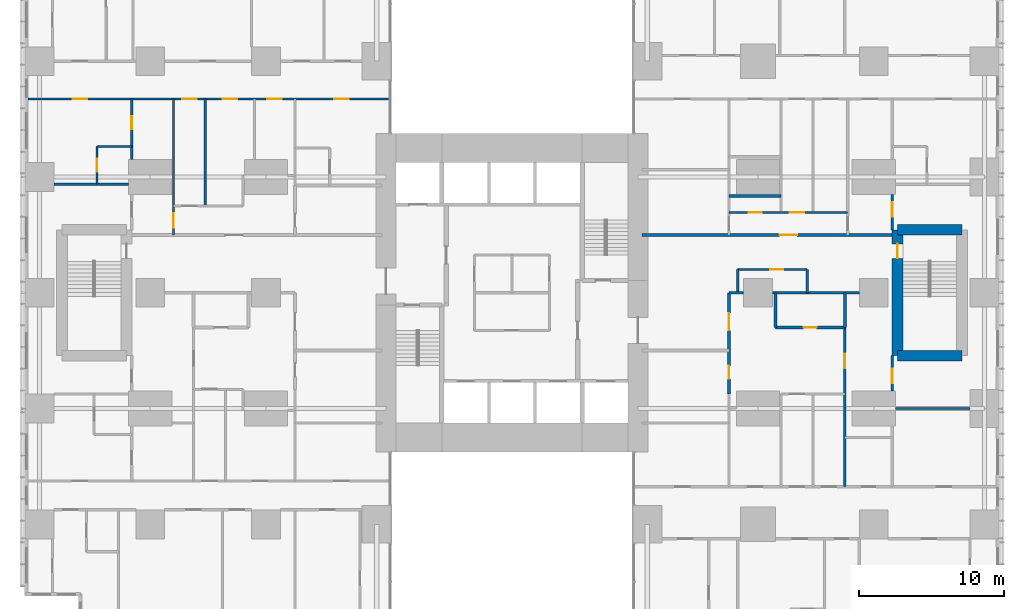
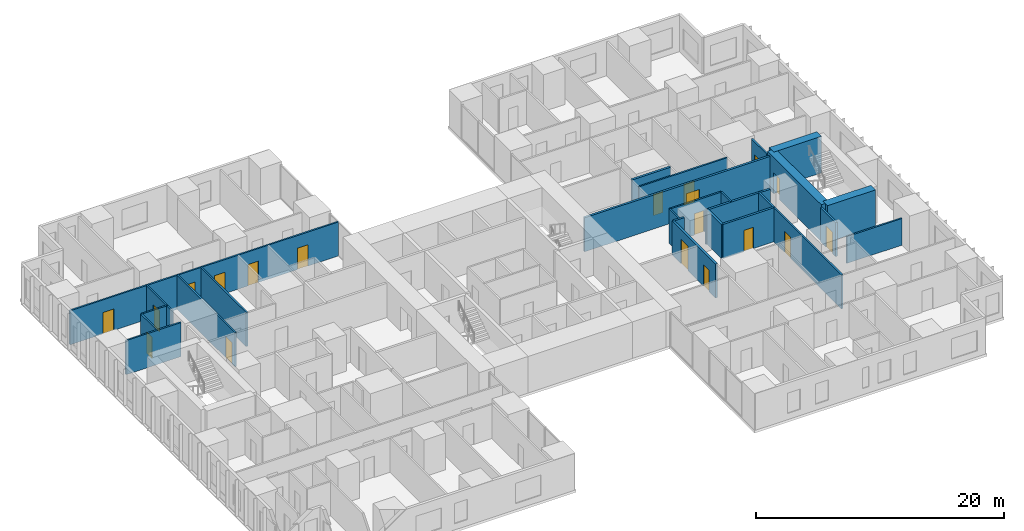
# One storey, part 16 of 20: 26 walls, 19 doors, 19 openings.
"""IFC4 building model written with IfcOpenShell, lengths in metres."""

from ifc_helpers import new_model, si_unit, direction, frame, frame_2d, origin, place, context, subcontext, project, spatial, rectangle, extrude, material, layer, layer_set, type_object, element, fill, save


model = new_model("IFC4")

# Units and contexts
model_context = context("Model", 3, precision=1e-05, world=origin(), true_north=direction((0.0, 1.0)))
body_context = subcontext(model_context, "Body", "Model", "MODEL_VIEW")
ifc_project = project(units=[si_unit("LENGTHUNIT", "METRE"), si_unit("AREAUNIT", "SQUARE_METRE"), si_unit("VOLUMEUNIT", "CUBIC_METRE"), si_unit("PLANEANGLEUNIT", "RADIAN"), si_unit("MASSUNIT", "GRAM", prefix="KILO")], contexts=[model_context])

# Site, building, storey
site_placement = place(None, origin())
site = spatial("IfcSite", under=ifc_project, at=site_placement, CompositionType="ELEMENT")
building_placement = place(site_placement, origin())
building = spatial("IfcBuilding", under=site, at=building_placement, Name="Cleftline Residences", CompositionType="ELEMENT")
storey_placement = place(building_placement, frame((0.0, 0.0, 76.39990234375)))
storey = spatial("IfcBuildingStorey", under=building, at=storey_placement, Name="L19", CompositionType="ELEMENT", Elevation=76.39990234375)

# Wall, opening, door
ifc_material_1 = material(Name="Concrete blockwork, fire rated", Category="masonry")
ifc_layer_1 = layer(ifc_material_1, 0.199951171875)
ifc_layer_set_1 = layer_set([ifc_layer_1], Name="FIRE WALL 200")
wall_type_1 = type_object("IfcWallType", Name="FIRE WALL 200", PredefinedType="PARTITIONING", material=ifc_layer_set_1)
wall_1_placement = place(storey_placement, frame((51.199951171875, 21.60009765625, 0.0), z_axis=(0.0, 0.0, 1.0), x_axis=(1.0, 0.0, 0.0)))
wall_1 = element("IfcWall", 1, at=wall_1_placement, inside=storey, type_object=wall_type_1, Name="Fire separating wall", PredefinedType="PARTITIONING", context=body_context, shape_type="SweptSolid", body=[
    extrude(rectangle(XDim=4.800048828125, YDim=0.199951171875, at=frame_2d((2.39990234375, 0.0))), origin(), (0.0, 0.0, 1.0), 3.35009765625),
])
opening_1_placement = place(wall_1_placement, frame((1.949951171875, 0.0, 0.0)))
opening_1 = element("IfcOpeningElement", 2, at=opening_1_placement, cuts=wall_1, Name="Opening D1F30", PredefinedType="OPENING", context=body_context, shape_type="SweptSolid", body=[
    extrude(rectangle(XDim=0.89990234375, YDim=2.10009765625, at=frame_2d((0.449951171875, 1.050048828125))), frame((0.0, 0.10986328125, 0.0), z_axis=(0.0, -1.0, 0.0), x_axis=(1.0, 0.0, 0.0)), (0.0, 0.0, 1.0), 0.219970703125),
])
ifc_material_2 = material(Name="Timber veneer on solid core", Category="wood")
door_type_1 = type_object("IfcDoorType", Name="DOOR 900X2100 EI 30", OperationType="SINGLE_SWING_LEFT", PredefinedType="DOOR", material=ifc_material_2)
door_1_placement = place(opening_1_placement, origin())
door_1 = element("IfcDoor", 3, at=door_1_placement, inside=storey, type_object=door_type_1, Name="Door to cloakroom wc", OperationType="SINGLE_SWING_LEFT", OverallHeight=2.10009765625, OverallWidth=0.89990234375, PredefinedType="DOOR", context=body_context, shape_type="SweptSolid", body=[
    extrude(rectangle(XDim=0.89990234375, YDim=2.10009765625, at=frame_2d((0.449951171875, 1.050048828125))), frame((0.0, 0.02490234375, 0.0), z_axis=(0.0, -1.0, 0.0), x_axis=(1.0, 0.0, 0.0)), (0.0, 0.0, 1.0), 0.050048828125),
])
fill(opening_1, door_1)

# Walls
wall_2_placement = place(storey_placement, frame((48.0, 24.0, 0.0), z_axis=(0.0, 0.0, 1.0), x_axis=(1.0, 0.0, 0.0)))
element("IfcWall", 4, at=wall_2_placement, inside=storey, type_object=wall_type_1, Name="Fire separating wall", PredefinedType="PARTITIONING", context=body_context, shape_type="SweptSolid", body=[
    extrude(rectangle(XDim=1.0, YDim=0.199951171875, at=frame_2d((0.5, 0.0))), origin(), (0.0, 0.0, 1.0), 3.35009765625),
])
wall_3_placement = place(storey_placement, frame((51.0, 24.0, 0.0), z_axis=(0.0, 0.0, 1.0), x_axis=(1.0, 0.0, 0.0)))
element("IfcWall", 5, at=wall_3_placement, inside=storey, type_object=wall_type_1, Name="Fire separating wall", PredefinedType="PARTITIONING", context=body_context, shape_type="SweptSolid", body=[
    extrude(rectangle(XDim=6.0, YDim=0.199951171875, at=frame_2d((3.0, 0.0))), origin(), (0.0, 0.0, 1.0), 3.35009765625),
])

# Wall, opening, door
wall_4_placement = place(storey_placement, frame((42.0, 28.0, 0.0), z_axis=(0.0, 0.0, 1.0), x_axis=(1.0, 0.0, 0.0)))
wall_4 = element("IfcWall", 6, at=wall_4_placement, inside=storey, type_object=wall_type_1, Name="Fire separating wall", PredefinedType="PARTITIONING", context=body_context, shape_type="SweptSolid", body=[
    extrude(rectangle(XDim=17.27490234375, YDim=0.199951171875, at=frame_2d((8.637451171875, 0.0))), origin(), (0.0, 0.0, 1.0), 3.35009765625),
])
opening_2_placement = place(wall_4_placement, frame((9.5, 0.0, 0.0)))
opening_2 = element("IfcOpeningElement", 7, at=opening_2_placement, cuts=wall_4, Name="Opening D4", PredefinedType="OPENING", context=body_context, shape_type="SweptSolid", body=[
    extrude(rectangle(XDim=1.199951171875, YDim=2.39990234375, at=frame_2d((0.60009765625, 1.199951171875))), frame((0.0, 0.10986328125, 0.0), z_axis=(0.0, -1.0, 0.0), x_axis=(1.0, 0.0, 0.0)), (0.0, 0.0, 1.0), 0.219970703125),
])
ifc_material_3 = material(Name="Timber veneer on solid core", Category="wood")
door_type_2 = type_object("IfcDoorType", Name="APARTMENT ENTRANCE DOOR 1200X2400", OperationType="SINGLE_SWING_RIGHT", PredefinedType="DOOR", material=ifc_material_3)
door_2_placement = place(opening_2_placement, origin())
door_2 = element("IfcDoor", 8, at=door_2_placement, inside=storey, type_object=door_type_2, Name="Door to residence entrance foyer", OperationType="SINGLE_SWING_LEFT", OverallHeight=2.39990234375, OverallWidth=1.199951171875, PredefinedType="DOOR", context=body_context, shape_type="SweptSolid", body=[
    extrude(rectangle(XDim=1.199951171875, YDim=2.39990234375, at=frame_2d((0.60009765625, 1.199951171875))), frame((0.0, 0.02490234375, 0.0), z_axis=(0.0, -1.0, 0.0), x_axis=(1.0, 0.0, 0.0)), (0.0, 0.0, 1.0), 0.050048828125),
])
fill(opening_2, door_2)

# Wall
wall_5_placement = place(storey_placement, frame((48.0, 30.699951171875, 0.0), z_axis=(0.0, 0.0, 1.0), x_axis=(1.0, 0.0, 0.0)))
element("IfcWall", 9, at=wall_5_placement, inside=storey, type_object=wall_type_1, Name="Fire separating wall", PredefinedType="PARTITIONING", context=body_context, shape_type="SweptSolid", body=[
    extrude(rectangle(XDim=3.60009765625, YDim=0.199951171875, at=frame_2d((1.800048828125, 0.0))), origin(), (0.0, 0.0, 1.0), 3.35009765625),
])

# Wall, openings, doors
wall_6_placement = place(storey_placement, frame((48.0, 17.0, 0.0), z_axis=(0.0, 0.0, 1.0), x_axis=(0.0, 1.0, 0.0)))
wall_6 = element("IfcWall", 10, at=wall_6_placement, inside=storey, type_object=wall_type_1, Name="Fire separating wall", PredefinedType="PARTITIONING", context=body_context, shape_type="SweptSolid", body=[
    extrude(rectangle(XDim=7.0, YDim=0.199951171875, at=frame_2d((3.5, 0.0))), origin(), (0.0, 0.0, 1.0), 3.35009765625),
])
opening_3_placement = place(wall_6_placement, frame((4.39990234375, 0.0, 0.0)))
opening_3 = element("IfcOpeningElement", 11, at=opening_3_placement, cuts=wall_6, Name="Opening D4", PredefinedType="OPENING", context=body_context, shape_type="SweptSolid", body=[
    extrude(rectangle(XDim=1.199951171875, YDim=2.39990234375, at=frame_2d((0.60009765625, 1.199951171875))), frame((0.0, 0.10986328125, 0.0), z_axis=(0.0, -1.0, 0.0), x_axis=(1.0, 0.0, 0.0)), (0.0, 0.0, 1.0), 0.219970703125),
])
opening_4_placement = place(wall_6_placement, frame((1.050048828125, 0.0, 0.0)))
opening_4 = element("IfcOpeningElement", 12, at=opening_4_placement, cuts=wall_6, Name="Opening D1F30", PredefinedType="OPENING", context=body_context, shape_type="SweptSolid", body=[
    extrude(rectangle(XDim=0.89990234375, YDim=2.10009765625, at=frame_2d((0.449951171875, 1.050048828125))), frame((0.0, 0.10986328125, 0.0), z_axis=(0.0, -1.0, 0.0), x_axis=(1.0, 0.0, 0.0)), (0.0, 0.0, 1.0), 0.219970703125),
])
door_3_placement = place(opening_3_placement, origin())
door_3 = element("IfcDoor", 13, at=door_3_placement, inside=storey, type_object=door_type_2, Name="Door to residence entrance foyer", OperationType="SINGLE_SWING_LEFT", OverallHeight=2.39990234375, OverallWidth=1.199951171875, PredefinedType="DOOR", context=body_context, shape_type="SweptSolid", body=[
    extrude(rectangle(XDim=1.199951171875, YDim=2.39990234375, at=frame_2d((0.60009765625, 1.199951171875))), frame((0.0, 0.02490234375, 0.0), z_axis=(0.0, -1.0, 0.0), x_axis=(1.0, 0.0, 0.0)), (0.0, 0.0, 1.0), 0.050048828125),
])
fill(opening_3, door_3)
door_4_placement = place(opening_4_placement, origin())
door_4 = element("IfcDoor", 14, at=door_4_placement, inside=storey, type_object=door_type_1, Name="Door to laundry", OperationType="SINGLE_SWING_RIGHT", OverallHeight=2.10009765625, OverallWidth=0.89990234375, PredefinedType="DOOR", context=body_context, shape_type="SweptSolid", body=[
    extrude(rectangle(XDim=0.89990234375, YDim=2.10009765625, at=frame_2d((0.449951171875, 1.050048828125))), frame((0.0, 0.02490234375, 0.0), z_axis=(0.0, -1.0, 0.0), x_axis=(1.0, 0.0, 0.0)), (0.0, 0.0, 1.0), 0.050048828125),
])
fill(opening_4, door_4)

# Walls
for number, where, z_axis, x_axis, name in (
    (15, (51.199951171875, 21.60009765625, 0.0), (0.0, 0.0, 1.0), (0.0, 1.0, 0.0), "Fire separating wall"),
    (16, (56.0, 21.60009765625, 0.0), (0.0, 0.0, 1.0), (0.0, 1.0, 0.0), "Fire separating wall"),
):
    element("IfcWall", number, at=place(storey_placement, frame(where, z_axis=z_axis, x_axis=x_axis)), inside=storey, type_object=wall_type_1, Name=name, PredefinedType="PARTITIONING", context=body_context, shape_type="SweptSolid", body=[
        extrude(rectangle(XDim=2.39990234375, YDim=0.199951171875, at=frame_2d((1.199951171875, 0.0))), origin(), (0.0, 0.0, 1.0), 3.35009765625),
    ])
ifc_material_4 = material(Name="Gypsum board on steel studs", Category="steel")
ifc_layer_2 = layer(ifc_material_4, 0.14990234375)
ifc_layer_set_2 = layer_set([ifc_layer_2], Name="PARTITION 150")
wall_type_2 = type_object("IfcWallType", Name="PARTITION 150", PredefinedType="PARTITIONING", material=ifc_layer_set_2)
wall_7_placement = place(storey_placement, frame((59.5, 16.0, 0.0), z_axis=(0.0, 0.0, 1.0), x_axis=(1.0, 0.0, 0.0)))
element("IfcWall", 17, at=wall_7_placement, inside=storey, type_object=wall_type_2, Name="Partition", PredefinedType="PARTITIONING", context=body_context, shape_type="SweptSolid", body=[
    extrude(rectangle(XDim=5.14990234375, YDim=0.14990234375, at=frame_2d((2.574951171875, 0.0))), origin(), (0.0, 0.0, 1.0), 2.634033203125),
])

# Wall, opening, door
wall_8_placement = place(storey_placement, frame((48.60009765625, 25.60009765625, 0.0), z_axis=(0.0, 0.0, 1.0), x_axis=(1.0, 0.0, 0.0)))
wall_8 = element("IfcWall", 18, at=wall_8_placement, inside=storey, type_object=wall_type_2, Name="Partition", PredefinedType="PARTITIONING", context=body_context, shape_type="SweptSolid", body=[
    extrude(rectangle(XDim=4.7998046875, YDim=0.14990234375, at=frame_2d((2.39990234375, 0.0))), origin(), (0.0, 0.0, 1.0), 3.35009765625),
])
opening_5_placement = place(wall_8_placement, frame((2.25, 0.0, 0.0)))
opening_5 = element("IfcOpeningElement", 19, at=opening_5_placement, cuts=wall_8, Name="Opening D1", PredefinedType="OPENING", context=body_context, shape_type="SweptSolid", body=[
    extrude(rectangle(XDim=0.89990234375, YDim=2.10009765625, at=frame_2d((0.449951171875, 1.050048828125))), frame((0.0, 0.0849609375, 0.0), z_axis=(0.0, -1.0, 0.0), x_axis=(1.0, 0.0, 0.0)), (0.0, 0.0, 1.0), 0.169921875),
])
ifc_material_5 = material(Name="Timber veneer on solid core", Category="wood")
door_type_3 = type_object("IfcDoorType", Name="DOOR 900X2100", OperationType="SINGLE_SWING_LEFT", PredefinedType="DOOR", material=ifc_material_5)
door_5_placement = place(opening_5_placement, origin())
door_5 = element("IfcDoor", 20, at=door_5_placement, inside=storey, type_object=door_type_3, Name="Door to bulky waste room", OperationType="SINGLE_SWING_LEFT", OverallHeight=2.10009765625, OverallWidth=0.89990234375, PredefinedType="DOOR", context=body_context, shape_type="SweptSolid", body=[
    extrude(rectangle(XDim=0.89990234375, YDim=2.10009765625, at=frame_2d((0.449951171875, 1.050048828125))), frame((0.0, 0.02490234375, 0.0), z_axis=(0.0, -1.0, 0.0), x_axis=(1.0, 0.0, 0.0)), (0.0, 0.0, 1.0), 0.050048828125),
])
fill(opening_5, door_5)

# Wall, openings, doors
wall_9_placement = place(storey_placement, frame((48.0, 29.550048828125, 0.0), z_axis=(0.0, 0.0, 1.0), x_axis=(1.0, 0.0, 0.0)))
wall_9 = element("IfcWall", 21, at=wall_9_placement, inside=storey, type_object=wall_type_2, Name="Partition", PredefinedType="PARTITIONING", context=body_context, shape_type="SweptSolid", body=[
    extrude(rectangle(XDim=8.199951171875, YDim=0.14990234375, at=frame_2d((4.10009765625, 0.0))), origin(), (0.0, 0.0, 1.0), 3.35009765625),
])
opening_6_placement = place(wall_9_placement, frame((4.199951171875, 0.0, 0.0)))
opening_6 = element("IfcOpeningElement", 22, at=opening_6_placement, cuts=wall_9, Name="Opening D2", PredefinedType="OPENING", context=body_context, shape_type="SweptSolid", body=[
    extrude(rectangle(XDim=1.0, YDim=2.10009765625, at=frame_2d((0.5, 1.050048828125))), frame((0.0, 0.0849609375, 0.0), z_axis=(0.0, -1.0, 0.0), x_axis=(1.0, 0.0, 0.0)), (0.0, 0.0, 1.0), 0.169921875),
])
opening_7_placement = place(wall_9_placement, frame((1.35009765625, 0.0, 0.0)))
opening_7 = element("IfcOpeningElement", 23, at=opening_7_placement, cuts=wall_9, Name="Opening D1", PredefinedType="OPENING", context=body_context, shape_type="SweptSolid", body=[
    extrude(rectangle(XDim=0.89990234375, YDim=2.10009765625, at=frame_2d((0.449951171875, 1.050048828125))), frame((0.0, 0.0849609375, 0.0), z_axis=(0.0, -1.0, 0.0), x_axis=(1.0, 0.0, 0.0)), (0.0, 0.0, 1.0), 0.169921875),
])
ifc_material_6 = material(Name="Timber veneer on solid core", Category="wood")
door_type_4 = type_object("IfcDoorType", Name="DOOR 1000X2100", OperationType="SINGLE_SWING_LEFT", PredefinedType="DOOR", material=ifc_material_6)
door_6_placement = place(opening_6_placement, origin())
door_6 = element("IfcDoor", 24, at=door_6_placement, inside=storey, type_object=door_type_4, Name="Door to residence passage", OperationType="SINGLE_SWING_LEFT", OverallHeight=2.10009765625, OverallWidth=1.0, PredefinedType="DOOR", context=body_context, shape_type="SweptSolid", body=[
    extrude(rectangle(XDim=1.0, YDim=2.10009765625, at=frame_2d((0.5, 1.050048828125))), frame((0.0, 0.02490234375, 0.0), z_axis=(0.0, -1.0, 0.0), x_axis=(1.0, 0.0, 0.0)), (0.0, 0.0, 1.0), 0.050048828125),
])
fill(opening_6, door_6)
door_7_placement = place(opening_7_placement, origin())
door_7 = element("IfcDoor", 25, at=door_7_placement, inside=storey, type_object=door_type_3, Name="Door to linen store", OperationType="SINGLE_SWING_RIGHT", OverallHeight=2.10009765625, OverallWidth=0.89990234375, PredefinedType="DOOR", context=body_context, shape_type="SweptSolid", body=[
    extrude(rectangle(XDim=0.89990234375, YDim=2.10009765625, at=frame_2d((0.449951171875, 1.050048828125))), frame((0.0, 0.02490234375, 0.0), z_axis=(0.0, -1.0, 0.0), x_axis=(1.0, 0.0, 0.0)), (0.0, 0.0, 1.0), 0.050048828125),
])
fill(opening_7, door_7)

# Walls
wall_10_placement = place(storey_placement, frame((1.35009765625, 31.5, 0.0), z_axis=(0.0, 0.0, 1.0), x_axis=(1.0, 0.0, 0.0)))
element("IfcWall", 26, at=wall_10_placement, inside=storey, type_object=wall_type_2, Name="Partition", PredefinedType="PARTITIONING", context=body_context, shape_type="SweptSolid", body=[
    extrude(rectangle(XDim=5.14990234375, YDim=0.14990234375, at=frame_2d((2.574951171875, 0.0))), origin(), (0.0, 0.0, 1.0), 3.35009765625),
])
wall_11_placement = place(storey_placement, frame((4.324951171875, 34.10009765625, 0.0), z_axis=(0.0, 0.0, 1.0), x_axis=(1.0, 0.0, 0.0)))
element("IfcWall", 27, at=wall_11_placement, inside=storey, type_object=wall_type_2, Name="Partition", PredefinedType="PARTITIONING", context=body_context, shape_type="SweptSolid", body=[
    extrude(rectangle(XDim=2.400146484375, YDim=0.14990234375, at=frame_2d((1.2001953125, 0.0))), origin(), (0.0, 0.0, 1.0), 3.35009765625),
])

# Wall, openings, doors
wall_12_placement = place(storey_placement, frame((-0.449951171875, 37.39990234375, 0.0), z_axis=(0.0, 0.0, 1.0), x_axis=(1.0, 0.0, 0.0)))
wall_12 = element("IfcWall", 28, at=wall_12_placement, inside=storey, type_object=wall_type_2, Name="Partition", PredefinedType="PARTITIONING", context=body_context, shape_type="SweptSolid", body=[
    extrude(rectangle(XDim=25.010986328125, YDim=0.14990234375, at=frame_2d((12.50537109375, 0.0))), origin(), (0.0, 0.0, 1.0), 3.35009765625),
])
opening_8_placement = place(wall_12_placement, frame((10.64990234375, 0.0, 0.0)))
opening_8 = element("IfcOpeningElement", 29, at=opening_8_placement, cuts=wall_12, Name="Opening D2", PredefinedType="OPENING", context=body_context, shape_type="SweptSolid", body=[
    extrude(rectangle(XDim=1.0, YDim=2.10009765625, at=frame_2d((0.5, 1.050048828125))), frame((0.0, 0.0849609375, 0.0), z_axis=(0.0, -1.0, 0.0), x_axis=(1.0, 0.0, 0.0)), (0.0, 0.0, 1.0), 0.169921875),
])
opening_9_placement = place(wall_12_placement, frame((3.08740234375, 0.0, 0.0)))
opening_9 = element("IfcOpeningElement", 30, at=opening_9_placement, cuts=wall_12, Name="Opening D2", PredefinedType="OPENING", context=body_context, shape_type="SweptSolid", body=[
    extrude(rectangle(XDim=1.0, YDim=2.10009765625, at=frame_2d((0.5, 1.050048828125))), frame((0.0, 0.0849609375, 0.0), z_axis=(0.0, -1.0, 0.0), x_axis=(1.0, 0.0, 0.0)), (0.0, 0.0, 1.0), 0.169921875),
])
opening_10_placement = place(wall_12_placement, frame((13.449951171875, 0.0, 0.0)))
opening_10 = element("IfcOpeningElement", 31, at=opening_10_placement, cuts=wall_12, Name="Opening D2", PredefinedType="OPENING", context=body_context, shape_type="SweptSolid", body=[
    extrude(rectangle(XDim=1.0, YDim=2.10009765625, at=frame_2d((0.5, 1.050048828125))), frame((0.0, 0.0849609375, 0.0), z_axis=(0.0, -1.0, 0.0), x_axis=(1.0, 0.0, 0.0)), (0.0, 0.0, 1.0), 0.169921875),
])
opening_11_placement = place(wall_12_placement, frame((16.550048828125, 0.0, 0.0)))
opening_11 = element("IfcOpeningElement", 32, at=opening_11_placement, cuts=wall_12, Name="Opening D2", PredefinedType="OPENING", context=body_context, shape_type="SweptSolid", body=[
    extrude(rectangle(XDim=1.0, YDim=2.10009765625, at=frame_2d((0.5, 1.050048828125))), frame((0.0, 0.0849609375, 0.0), z_axis=(0.0, -1.0, 0.0), x_axis=(1.0, 0.0, 0.0)), (0.0, 0.0, 1.0), 0.169921875),
])
opening_12_placement = place(wall_12_placement, frame((21.175048828125, 0.0, 0.0)))
opening_12 = element("IfcOpeningElement", 33, at=opening_12_placement, cuts=wall_12, Name="Opening D2", PredefinedType="OPENING", context=body_context, shape_type="SweptSolid", body=[
    extrude(rectangle(XDim=1.0, YDim=2.10009765625, at=frame_2d((0.5, 1.050048828125))), frame((0.0, 0.0849609375, 0.0), z_axis=(0.0, -1.0, 0.0), x_axis=(1.0, 0.0, 0.0)), (0.0, 0.0, 1.0), 0.169921875),
])
door_8_placement = place(opening_8_placement, origin())
door_8 = element("IfcDoor", 34, at=door_8_placement, inside=storey, type_object=door_type_4, Name="Door to residence hall", OperationType="SINGLE_SWING_RIGHT", OverallHeight=2.10009765625, OverallWidth=1.0, PredefinedType="DOOR", context=body_context, shape_type="SweptSolid", body=[
    extrude(rectangle(XDim=1.0, YDim=2.10009765625, at=frame_2d((0.5, 1.050048828125))), frame((0.0, 0.02490234375, 0.0), z_axis=(0.0, -1.0, 0.0), x_axis=(1.0, 0.0, 0.0)), (0.0, 0.0, 1.0), 0.050048828125),
])
fill(opening_8, door_8)
door_9_placement = place(opening_9_placement, origin())
door_9 = element("IfcDoor", 35, at=door_9_placement, inside=storey, type_object=door_type_4, Name="Door to master bedroom", OperationType="SINGLE_SWING_RIGHT", OverallHeight=2.10009765625, OverallWidth=1.0, PredefinedType="DOOR", context=body_context, shape_type="SweptSolid", body=[
    extrude(rectangle(XDim=1.0, YDim=2.10009765625, at=frame_2d((0.5, 1.050048828125))), frame((0.0, 0.02490234375, 0.0), z_axis=(0.0, -1.0, 0.0), x_axis=(1.0, 0.0, 0.0)), (0.0, 0.0, 1.0), 0.050048828125),
])
fill(opening_9, door_9)
door_10_placement = place(opening_10_placement, origin())
door_10 = element("IfcDoor", 36, at=door_10_placement, inside=storey, type_object=door_type_4, Name="Door to family room", OperationType="SINGLE_SWING_LEFT", OverallHeight=2.10009765625, OverallWidth=1.0, PredefinedType="DOOR", context=body_context, shape_type="SweptSolid", body=[
    extrude(rectangle(XDim=1.0, YDim=2.10009765625, at=frame_2d((0.5, 1.050048828125))), frame((0.0, 0.02490234375, 0.0), z_axis=(0.0, -1.0, 0.0), x_axis=(1.0, 0.0, 0.0)), (0.0, 0.0, 1.0), 0.050048828125),
])
fill(opening_10, door_10)
door_11_placement = place(opening_11_placement, origin())
door_11 = element("IfcDoor", 37, at=door_11_placement, inside=storey, type_object=door_type_4, Name="Door to wet kitchen", OperationType="SINGLE_SWING_LEFT", OverallHeight=2.10009765625, OverallWidth=1.0, PredefinedType="DOOR", context=body_context, shape_type="SweptSolid", body=[
    extrude(rectangle(XDim=1.0, YDim=2.10009765625, at=frame_2d((0.5, 1.050048828125))), frame((0.0, 0.02490234375, 0.0), z_axis=(0.0, -1.0, 0.0), x_axis=(1.0, 0.0, 0.0)), (0.0, 0.0, 1.0), 0.050048828125),
])
fill(opening_11, door_11)
door_12_placement = place(opening_12_placement, origin())
door_12 = element("IfcDoor", 38, at=door_12_placement, inside=storey, type_object=door_type_4, Name="Door to bedroom 3", OperationType="SINGLE_SWING_LEFT", OverallHeight=2.10009765625, OverallWidth=1.0, PredefinedType="DOOR", context=body_context, shape_type="SweptSolid", body=[
    extrude(rectangle(XDim=1.0, YDim=2.10009765625, at=frame_2d((0.5, 1.050048828125))), frame((0.0, 0.02490234375, 0.0), z_axis=(0.0, -1.0, 0.0), x_axis=(1.0, 0.0, 0.0)), (0.0, 0.0, 1.0), 0.050048828125),
])
fill(opening_12, door_12)

# Wall, opening, door
wall_13_placement = place(storey_placement, frame((4.324951171875, 31.5, 0.0), z_axis=(0.0, 0.0, 1.0), x_axis=(0.0, 1.0, 0.0)))
wall_13 = element("IfcWall", 39, at=wall_13_placement, inside=storey, type_object=wall_type_2, Name="Partition", PredefinedType="PARTITIONING", context=body_context, shape_type="SweptSolid", body=[
    extrude(rectangle(XDim=2.60009765625, YDim=0.14990234375, at=frame_2d((1.300048828125, 0.0))), origin(), (0.0, 0.0, 1.0), 3.35009765625),
])
opening_13_placement = place(wall_13_placement, frame((0.85009765625, 0.0, 0.0)))
opening_13 = element("IfcOpeningElement", 40, at=opening_13_placement, cuts=wall_13, Name="Opening D1", PredefinedType="OPENING", context=body_context, shape_type="SweptSolid", body=[
    extrude(rectangle(XDim=0.89990234375, YDim=2.10009765625, at=frame_2d((0.449951171875, 1.050048828125))), frame((0.0, 0.0849609375, 0.0), z_axis=(0.0, -1.0, 0.0), x_axis=(1.0, 0.0, 0.0)), (0.0, 0.0, 1.0), 0.169921875),
])
door_13_placement = place(opening_13_placement, origin())
door_13 = element("IfcDoor", 41, at=door_13_placement, inside=storey, type_object=door_type_3, Name="Door to master bathroom", OperationType="SINGLE_SWING_LEFT", OverallHeight=2.10009765625, OverallWidth=0.89990234375, PredefinedType="DOOR", context=body_context, shape_type="SweptSolid", body=[
    extrude(rectangle(XDim=0.89990234375, YDim=2.10009765625, at=frame_2d((0.449951171875, 1.050048828125))), frame((0.0, 0.02490234375, 0.0), z_axis=(0.0, -1.0, 0.0), x_axis=(1.0, 0.0, 0.0)), (0.0, 0.0, 1.0), 0.050048828125),
])
fill(opening_13, door_13)

wall_14_placement = place(storey_placement, frame((6.72509765625, 33.199951171875, 0.0), z_axis=(0.0, 0.0, 1.0), x_axis=(0.0, 1.0, 0.0)))
wall_14 = element("IfcWall", 42, at=wall_14_placement, inside=storey, type_object=wall_type_2, Name="Partition", PredefinedType="PARTITIONING", context=body_context, shape_type="SweptSolid", body=[
    extrude(rectangle(XDim=4.199951171875, YDim=0.14990234375, at=frame_2d((2.10009765625, 0.0))), origin(), (0.0, 0.0, 1.0), 3.35009765625),
])
opening_14_placement = place(wall_14_placement, frame((2.10009765625, 0.0, 0.0)))
opening_14 = element("IfcOpeningElement", 43, at=opening_14_placement, cuts=wall_14, Name="Opening D1", PredefinedType="OPENING", context=body_context, shape_type="SweptSolid", body=[
    extrude(rectangle(XDim=0.89990234375, YDim=2.10009765625, at=frame_2d((0.449951171875, 1.050048828125))), frame((0.0, 0.0849609375, 0.0), z_axis=(0.0, -1.0, 0.0), x_axis=(1.0, 0.0, 0.0)), (0.0, 0.0, 1.0), 0.169921875),
])
door_14_placement = place(opening_14_placement, origin())
door_14 = element("IfcDoor", 44, at=door_14_placement, inside=storey, type_object=door_type_3, Name="Door to master dressing room", OperationType="SINGLE_SWING_LEFT", OverallHeight=2.10009765625, OverallWidth=0.89990234375, PredefinedType="DOOR", context=body_context, shape_type="SweptSolid", body=[
    extrude(rectangle(XDim=0.89990234375, YDim=2.10009765625, at=frame_2d((0.449951171875, 1.050048828125))), frame((0.0, 0.02490234375, 0.0), z_axis=(0.0, -1.0, 0.0), x_axis=(1.0, 0.0, 0.0)), (0.0, 0.0, 1.0), 0.050048828125),
])
fill(opening_14, door_14)

wall_15_placement = place(storey_placement, frame((9.60009765625, 28.0, 0.0), z_axis=(0.0, 0.0, 1.0), x_axis=(0.0, 1.0, 0.0)))
wall_15 = element("IfcWall", 45, at=wall_15_placement, inside=storey, type_object=wall_type_2, Name="Partition", PredefinedType="PARTITIONING", context=body_context, shape_type="SweptSolid", body=[
    extrude(rectangle(XDim=9.39990234375, YDim=0.14990234375, at=frame_2d((4.699951171875, 0.0))), origin(), (0.0, 0.0, 1.0), 3.35009765625),
])
opening_15_placement = place(wall_15_placement, frame((0.5, 0.0, 0.0)))
opening_15 = element("IfcOpeningElement", 46, at=opening_15_placement, cuts=wall_15, Name="Opening D2F30", PredefinedType="OPENING", context=body_context, shape_type="SweptSolid", body=[
    extrude(rectangle(XDim=1.0, YDim=2.10009765625, at=frame_2d((0.5, 1.050048828125))), frame((0.0, 0.0849609375, 0.0), z_axis=(0.0, -1.0, 0.0), x_axis=(1.0, 0.0, 0.0)), (0.0, 0.0, 1.0), 0.169921875),
])
ifc_material_7 = material(Name="Timber veneer on solid core", Category="wood")
door_type_5 = type_object("IfcDoorType", Name="DOOR 1000X2100 EI 30", OperationType="SINGLE_SWING_LEFT", PredefinedType="DOOR", material=ifc_material_7)
door_15_placement = place(opening_15_placement, origin())
door_15 = element("IfcDoor", 47, at=door_15_placement, inside=storey, type_object=door_type_5, Name="Door to residence lobby", OperationType="SINGLE_SWING_RIGHT", OverallHeight=2.10009765625, OverallWidth=1.0, PredefinedType="DOOR", context=body_context, shape_type="SweptSolid", body=[
    extrude(rectangle(XDim=1.0, YDim=2.10009765625, at=frame_2d((0.5, 1.050048828125))), frame((0.0, 0.02490234375, 0.0), z_axis=(0.0, -1.0, 0.0), x_axis=(1.0, 0.0, 0.0)), (0.0, 0.0, 1.0), 0.050048828125),
])
fill(opening_15, door_15)

# Walls
wall_16_placement = place(storey_placement, frame((11.800048828125, 30.0, 0.0), z_axis=(0.0, 0.0, 1.0), x_axis=(0.0, 1.0, 0.0)))
element("IfcWall", 48, at=wall_16_placement, inside=storey, type_object=wall_type_2, Name="Partition", PredefinedType="PARTITIONING", context=body_context, shape_type="SweptSolid", body=[
    extrude(rectangle(XDim=7.39990234375, YDim=0.14990234375, at=frame_2d((3.699951171875, 0.0))), origin(), (0.0, 0.0, 1.0), 3.35009765625),
])
for number, where, z_axis, x_axis, name in (
    (49, (48.60009765625, 24.0, 0.0), (0.0, 0.0, 1.0), (0.0, 1.0, 0.0), "Partition"),
    (50, (53.39990234375, 24.0, 0.0), (0.0, 0.0, 1.0), (0.0, 1.0, 0.0), "Partition"),
):
    element("IfcWall", number, at=place(storey_placement, frame(where, z_axis=z_axis, x_axis=x_axis)), inside=storey, type_object=wall_type_2, Name=name, PredefinedType="PARTITIONING", context=body_context, shape_type="SweptSolid", body=[
        extrude(rectangle(XDim=1.60009765625, YDim=0.14990234375, at=frame_2d((0.800048828125, 0.0))), origin(), (0.0, 0.0, 1.0), 3.35009765625),
    ])

# Wall, opening, door
wall_17_placement = place(storey_placement, frame((56.0, 10.60009765625, 0.0), z_axis=(0.0, 0.0, 1.0), x_axis=(0.0, 1.0, 0.0)))
wall_17 = element("IfcWall", 51, at=wall_17_placement, inside=storey, type_object=wall_type_2, Name="Partition", PredefinedType="PARTITIONING", context=body_context, shape_type="SweptSolid", body=[
    extrude(rectangle(XDim=11.0, YDim=0.14990234375, at=frame_2d((5.5, 0.0))), origin(), (0.0, 0.0, 1.0), 3.35009765625),
])
opening_16_placement = place(wall_17_placement, frame((8.199951171875, 0.0, 0.0)))
opening_16 = element("IfcOpeningElement", 52, at=opening_16_placement, cuts=wall_17, Name="Opening D2F30", PredefinedType="OPENING", context=body_context, shape_type="SweptSolid", body=[
    extrude(rectangle(XDim=1.0, YDim=2.10009765625, at=frame_2d((0.5, 1.050048828125))), frame((0.0, 0.0849609375, 0.0), z_axis=(0.0, -1.0, 0.0), x_axis=(1.0, 0.0, 0.0)), (0.0, 0.0, 1.0), 0.169921875),
])
door_16_placement = place(opening_16_placement, origin())
door_16 = element("IfcDoor", 53, at=door_16_placement, inside=storey, type_object=door_type_5, Name="Door to residence lobby (service)", OperationType="SINGLE_SWING_LEFT", OverallHeight=2.10009765625, OverallWidth=1.0, PredefinedType="DOOR", context=body_context, shape_type="SweptSolid", body=[
    extrude(rectangle(XDim=1.0, YDim=2.10009765625, at=frame_2d((0.5, 1.050048828125))), frame((0.0, 0.02490234375, 0.0), z_axis=(0.0, -1.0, 0.0), x_axis=(1.0, 0.0, 0.0)), (0.0, 0.0, 1.0), 0.050048828125),
])
fill(opening_16, door_16)

wall_18_placement = place(storey_placement, frame((59.27490234375, 17.199951171875, 0.0), z_axis=(0.0, 0.0, 1.0), x_axis=(0.0, 1.0, 0.0)))
wall_18 = element("IfcWall", 54, at=wall_18_placement, inside=storey, type_object=wall_type_2, Name="Partition", PredefinedType="PARTITIONING", context=body_context, shape_type="SweptSolid", body=[
    extrude(rectangle(XDim=2.449951171875, YDim=0.14990234375, at=frame_2d((1.22509765625, 0.0))), origin(), (0.0, 0.0, 1.0), 3.35009765625),
])
opening_17_placement = place(wall_18_placement, frame((0.53759765625, 0.0, 0.0)))
opening_17 = element("IfcOpeningElement", 55, at=opening_17_placement, cuts=wall_18, Name="Opening D2", PredefinedType="OPENING", context=body_context, shape_type="SweptSolid", body=[
    extrude(rectangle(XDim=1.0, YDim=2.10009765625, at=frame_2d((0.5, 1.050048828125))), frame((0.0, 0.0849609375, 0.0), z_axis=(0.0, -1.0, 0.0), x_axis=(1.0, 0.0, 0.0)), (0.0, 0.0, 1.0), 0.169921875),
])
door_17_placement = place(opening_17_placement, origin())
door_17 = element("IfcDoor", 56, at=door_17_placement, inside=storey, type_object=door_type_4, Name="Door to sea-view dining room", OperationType="SINGLE_SWING_RIGHT", OverallHeight=2.10009765625, OverallWidth=1.0, PredefinedType="DOOR", context=body_context, shape_type="SweptSolid", body=[
    extrude(rectangle(XDim=1.0, YDim=2.10009765625, at=frame_2d((0.5, 1.050048828125))), frame((0.0, 0.02490234375, 0.0), z_axis=(0.0, -1.0, 0.0), x_axis=(1.0, 0.0, 0.0)), (0.0, 0.0, 1.0), 0.050048828125),
])
fill(opening_17, door_17)

wall_19_placement = place(storey_placement, frame((59.27490234375, 28.35009765625, 0.0), z_axis=(0.0, 0.0, 1.0), x_axis=(0.0, 1.0, 0.0)))
wall_19 = element("IfcWall", 57, at=wall_19_placement, inside=storey, type_object=wall_type_2, Name="Partition", PredefinedType="PARTITIONING", context=body_context, shape_type="SweptSolid", body=[
    extrude(rectangle(XDim=2.449951171875, YDim=0.14990234375, at=frame_2d((1.22509765625, 0.0))), origin(), (0.0, 0.0, 1.0), 3.35009765625),
])
opening_18_placement = place(wall_19_placement, frame((0.91259765625, 0.0, 0.0)))
opening_18 = element("IfcOpeningElement", 58, at=opening_18_placement, cuts=wall_19, Name="Opening D2", PredefinedType="OPENING", context=body_context, shape_type="SweptSolid", body=[
    extrude(rectangle(XDim=1.0, YDim=2.10009765625, at=frame_2d((0.5, 1.050048828125))), frame((0.0, 0.0849609375, 0.0), z_axis=(0.0, -1.0, 0.0), x_axis=(1.0, 0.0, 0.0)), (0.0, 0.0, 1.0), 0.169921875),
])
door_18_placement = place(opening_18_placement, origin())
door_18 = element("IfcDoor", 59, at=door_18_placement, inside=storey, type_object=door_type_4, Name="Door to bedroom 2", OperationType="SINGLE_SWING_LEFT", OverallHeight=2.10009765625, OverallWidth=1.0, PredefinedType="DOOR", context=body_context, shape_type="SweptSolid", body=[
    extrude(rectangle(XDim=1.0, YDim=2.10009765625, at=frame_2d((0.5, 1.050048828125))), frame((0.0, 0.02490234375, 0.0), z_axis=(0.0, -1.0, 0.0), x_axis=(1.0, 0.0, 0.0)), (0.0, 0.0, 1.0), 0.050048828125),
])
fill(opening_18, door_18)

# Walls
ifc_material_8 = material(Name="Concrete B70", Category="concrete")
ifc_layer_3 = layer(ifc_material_8, 0.75)
ifc_layer_set_3 = layer_set([ifc_layer_3], Name="SHEAR WALL 750")
wall_type_3 = type_object("IfcWallType", Name="SHEAR WALL 750", PredefinedType="SHEAR", material=ifc_layer_set_3)
for number, where, z_axis, x_axis, name in (
    (60, (59.64990234375, 19.64990234375, 0.0), (0.0, 0.0, 1.0), (1.0, 0.0, 0.0), "Wing shear wall"),
    (61, (64.10009765625, 28.35009765625, 0.0), (0.0, 0.0, 1.0), (-1.0, 0.0, 0.0), "Wing shear wall"),
):
    element("IfcWall", number, at=place(storey_placement, frame(where, z_axis=z_axis, x_axis=x_axis)), inside=storey, type_object=wall_type_3, Name=name, PredefinedType="SHEAR", context=body_context, shape_type="SweptSolid", body=[
        extrude(rectangle(XDim=4.4501953125, YDim=0.75, at=frame_2d((2.22509765625, 0.0))), origin(), (0.0, 0.0, 1.0), 3.60009765625),
    ])

# Wall, opening, door
wall_20_placement = place(storey_placement, frame((59.64990234375, 28.35009765625, 0.0), z_axis=(0.0, 0.0, 1.0), x_axis=(0.0, -1.0, 0.0)))
wall_20 = element("IfcWall", 62, at=wall_20_placement, inside=storey, type_object=wall_type_3, Name="Wing shear wall", PredefinedType="SHEAR", context=body_context, shape_type="SweptSolid", body=[
    extrude(rectangle(XDim=8.7001953125, YDim=0.75, at=frame_2d((4.35009765625, 0.0))), origin(), (0.0, 0.0, 1.0), 3.60009765625),
])
opening_19_placement = place(wall_20_placement, frame((0.97509765625, 0.0, 0.0)))
opening_19 = element("IfcOpeningElement", 63, at=opening_19_placement, cuts=wall_20, Name="Opening D5", PredefinedType="OPENING", context=body_context, shape_type="SweptSolid", body=[
    extrude(rectangle(XDim=1.0, YDim=2.10009765625, at=frame_2d((0.5, 1.050048828125))), frame((0.0, 0.385009765625, 0.0), z_axis=(0.0, -1.0, 0.0), x_axis=(1.0, 0.0, 0.0)), (0.0, 0.0, 1.0), 0.77001953125),
])
ifc_material_9 = material(Name="Steel", Category="steel")
door_type_6 = type_object("IfcDoorType", Name="STAIR DOOR 1000X2100", OperationType="SINGLE_SWING_LEFT", PredefinedType="DOOR", material=ifc_material_9)
door_19_placement = place(opening_19_placement, origin())
door_19 = element("IfcDoor", 64, at=door_19_placement, inside=storey, type_object=door_type_6, Name="Stair E door", OperationType="SINGLE_SWING_RIGHT", OverallHeight=2.10009765625, OverallWidth=1.0, PredefinedType="DOOR", context=body_context, shape_type="SweptSolid", body=[
    extrude(rectangle(XDim=1.0, YDim=2.10009765625, at=frame_2d((0.5, 1.050048828125))), frame((0.0, 0.02490234375, 0.0), z_axis=(0.0, -1.0, 0.0), x_axis=(1.0, 0.0, 0.0)), (0.0, 0.0, 1.0), 0.050048828125),
])
fill(opening_19, door_19)

save(model, "model.ifc")
